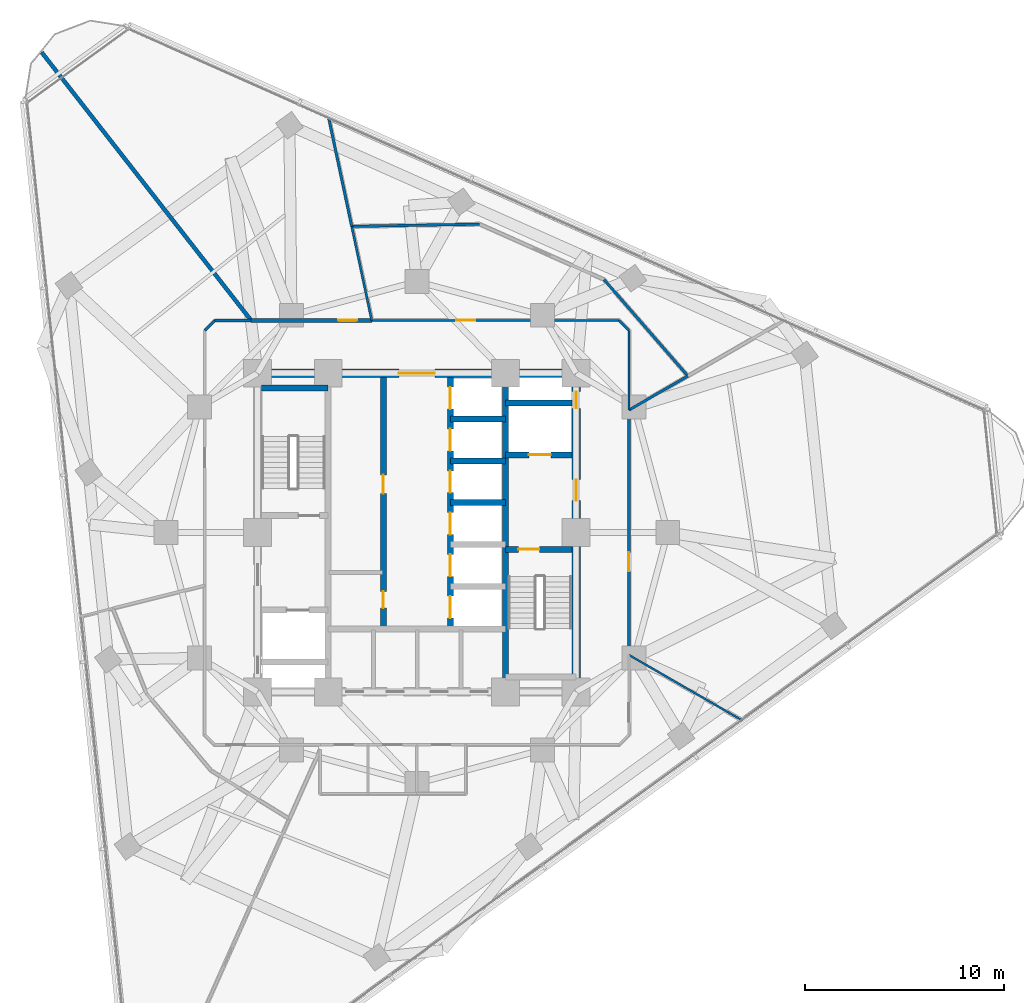
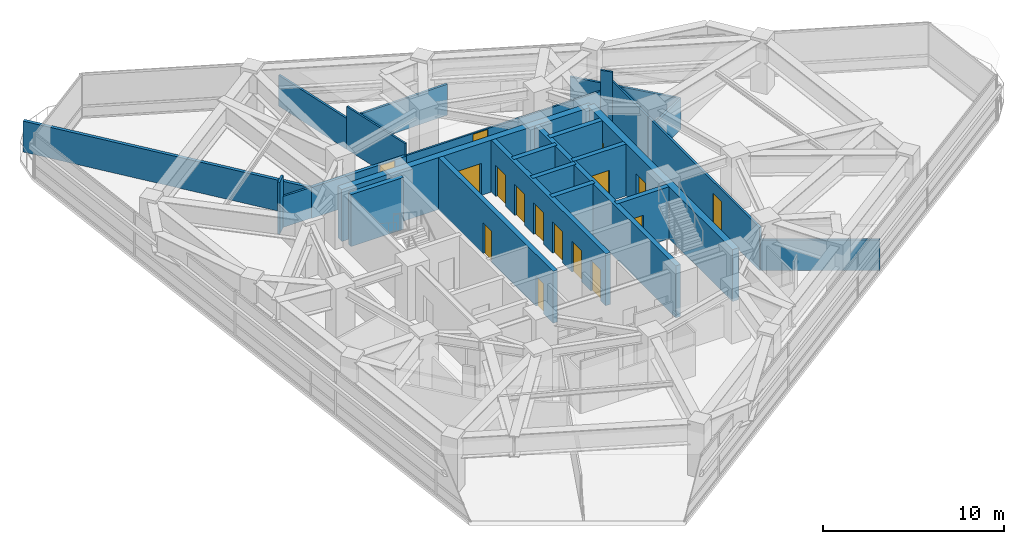
# One storey, part 9 of 14: 26 walls, 16 doors, 16 openings.
"""IFC4 building model written with IfcOpenShell, lengths in metres."""

from ifc_helpers import new_model, si_unit, direction, frame, frame_2d, origin, place, context, subcontext, project, spatial, rectangle, extrude, material, layer, layer_set, type_object, element, fill, save


model = new_model("IFC4")

# Units and contexts
model_context = context("Model", 3, precision=1e-05, world=origin(), true_north=direction((0.0, 1.0)))
body_context = subcontext(model_context, "Body", "Model", "MODEL_VIEW")
ifc_project = project(units=[si_unit("LENGTHUNIT", "METRE"), si_unit("AREAUNIT", "SQUARE_METRE"), si_unit("VOLUMEUNIT", "CUBIC_METRE"), si_unit("PLANEANGLEUNIT", "RADIAN"), si_unit("MASSUNIT", "GRAM", prefix="KILO")], contexts=[model_context])

# Site, building, storey
site_placement = place(None, origin())
site = spatial("IfcSite", under=ifc_project, at=site_placement, CompositionType="ELEMENT")
building_placement = place(site_placement, origin())
building = spatial("IfcBuilding", under=site, at=building_placement, Name="Terralouvre Media Tower", CompositionType="ELEMENT")
storey_placement = place(building_placement, frame((0.0, 0.0, 180.5)))
storey = spatial("IfcBuildingStorey", under=building, at=storey_placement, Name="L46", CompositionType="ELEMENT", Elevation=180.5)

# Walls
ifc_material_1 = material(Name="Concrete C50/60", Category="concrete")
ifc_layer_1 = layer(ifc_material_1, 0.300048828125, Name="Core Internal Shaft Wall CW-300")
ifc_layer_set_1 = layer_set([ifc_layer_1], Name="Concrete C50/60")
wall_type_1 = type_object("IfcWallType", Name="Core Internal Shaft Wall CW-300", PredefinedType="SHEAR", material=ifc_layer_set_1)
wall_1_placement = place(storey_placement, frame((4.449951171875, -7.7900390625, 0.0), z_axis=(0.0, 0.0, 1.0), x_axis=(0.0, 1.0, 0.0)))
element("IfcWall", 1, at=wall_1_placement, inside=storey, type_object=wall_type_1, Name="L46 Core Shaft Wall SPE", PredefinedType="SHEAR", context=body_context, shape_type="SweptSolid", body=[
    extrude(rectangle(XDim=15.580078125, YDim=0.300048828125, at=frame_2d((7.7900390625, 0.0))), origin(), (0.0, 0.0, 1.0), 3.5),
])
wall_2_placement = place(storey_placement, frame((-7.7900390625, 7.260009765625, 0.0), z_axis=(0.0, 0.0, 1.0), x_axis=(1.0, 0.0, 0.0)))
element("IfcWall", 2, at=wall_2_placement, inside=storey, type_object=wall_type_1, Name="L46 Core Shaft Wall ST1F", PredefinedType="SHEAR", context=body_context, shape_type="SweptSolid", body=[
    extrude(rectangle(XDim=3.340087890625, YDim=0.300048828125, at=frame_2d((1.669921875, 0.0))), origin(), (0.0, 0.0, 1.0), 3.5),
])

# Wall, opening, door
wall_3_placement = place(storey_placement, frame((4.449951171875, -0.85009765625, 0.0), z_axis=(0.0, 0.0, 1.0), x_axis=(1.0, 0.0, 0.0)))
wall_3 = element("IfcWall", 3, at=wall_3_placement, inside=storey, type_object=wall_type_1, Name="L46 Core Shaft Wall ST2D", PredefinedType="SHEAR", context=body_context, shape_type="SweptSolid", body=[
    extrude(rectangle(XDim=3.340087890625, YDim=0.300048828125, at=frame_2d((1.669921875, 0.0))), origin(), (0.0, 0.0, 1.0), 3.5),
])
opening_1_placement = place(wall_3_placement, frame((0.64990234375, 0.0, 0.0)))
opening_1 = element("IfcOpeningElement", 4, at=opening_1_placement, cuts=wall_3, Name="Opening FD-01-105X215", PredefinedType="OPENING", context=body_context, shape_type="SweptSolid", body=[
    extrude(rectangle(XDim=1.050048828125, YDim=2.14990234375, at=frame_2d((0.52490234375, 1.074951171875))), frame((0.0, 0.159912109375, 0.0), z_axis=(0.0, -1.0, 0.0), x_axis=(1.0, 0.0, 0.0)), (0.0, 0.0, 1.0), 0.320068359375),
])
ifc_material_2 = material(Name="Galvanised steel fire-resisting leaf", Category="steel")
door_type_1 = type_object("IfcDoorType", Name="Stair and Firefighting Lobby Fire Door FD-01 (1050x2150)", OperationType="NOTDEFINED", PredefinedType="DOOR", material=ifc_material_2)
door_1_placement = place(opening_1_placement, origin())
door_1 = element("IfcDoor", 5, at=door_1_placement, inside=storey, type_object=door_type_1, Name="L46 ST-02 Exit Stair Door", OperationType="SINGLE_SWING_RIGHT", OverallHeight=2.14990234375, OverallWidth=1.050048828125, PredefinedType="DOOR", context=body_context, shape_type="SweptSolid", body=[
    extrude(rectangle(XDim=1.050048828125, YDim=2.14990234375, at=frame_2d((0.52490234375, 1.074951171875))), frame((0.0, 0.02490234375, 0.0), z_axis=(0.0, -1.0, 0.0), x_axis=(1.0, 0.0, 0.0)), (0.0, 0.0, 1.0), 0.050048828125),
])
fill(opening_1, door_1)

wall_4_placement = place(storey_placement, frame((4.449951171875, 3.89990234375, 0.0), z_axis=(0.0, 0.0, 1.0), x_axis=(1.0, 0.0, 0.0)))
wall_4 = element("IfcWall", 6, at=wall_4_placement, inside=storey, type_object=wall_type_1, Name="L46 Core Shaft Wall FF2S", PredefinedType="SHEAR", context=body_context, shape_type="SweptSolid", body=[
    extrude(rectangle(XDim=3.340087890625, YDim=0.300048828125, at=frame_2d((1.669921875, 0.0))), origin(), (0.0, 0.0, 1.0), 3.5),
])
opening_2_placement = place(wall_4_placement, frame((1.179931640625, 0.0, 0.0)))
opening_2 = element("IfcOpeningElement", 7, at=opening_2_placement, cuts=wall_4, Name="Opening LD-FF", PredefinedType="OPENING", context=body_context, shape_type="SweptSolid", body=[
    extrude(rectangle(XDim=1.10009765625, YDim=2.10009765625, at=frame_2d((0.550048828125, 1.050048828125))), frame((0.0, 0.159912109375, 0.0), z_axis=(0.0, -1.0, 0.0), x_axis=(1.0, 0.0, 0.0)), (0.0, 0.0, 1.0), 0.320068359375),
])
ifc_material_3 = material(Name="Stainless steel 316 handrail and balustrade", Category="steel")
door_type_2 = type_object("IfcDoorType", Name="Firefighting Lift Sliding Landing Door LD-FF", OperationType="SLIDING_TO_LEFT", PredefinedType="DOOR", material=ifc_material_3)
door_2_placement = place(opening_2_placement, origin())
door_2 = element("IfcDoor", 8, at=door_2_placement, inside=storey, type_object=door_type_2, Name="L46 Firefighting Lift FFL-02 Landing Door", OperationType="SLIDING_TO_LEFT", OverallHeight=2.10009765625, OverallWidth=1.10009765625, PredefinedType="DOOR", context=body_context, shape_type="SweptSolid", body=[
    extrude(rectangle(XDim=1.10009765625, YDim=2.10009765625, at=frame_2d((0.550048828125, 1.050048828125))), frame((0.0, 0.02490234375, 0.0), z_axis=(0.0, -1.0, 0.0), x_axis=(1.0, 0.0, 0.0)), (0.0, 0.0, 1.0), 0.050048828125),
])
fill(opening_2, door_2)

# Wall
wall_5_placement = place(storey_placement, frame((4.449951171875, 6.5, 0.0), z_axis=(0.0, 0.0, 1.0), x_axis=(1.0, 0.0, 0.0)))
element("IfcWall", 9, at=wall_5_placement, inside=storey, type_object=wall_type_1, Name="L46 Core Shaft Wall FF2N", PredefinedType="SHEAR", context=body_context, shape_type="SweptSolid", body=[
    extrude(rectangle(XDim=3.340087890625, YDim=0.300048828125, at=frame_2d((1.669921875, 0.0))), origin(), (0.0, 0.0, 1.0), 3.5),
])

# Wall, openings, doors
wall_6_placement = place(storey_placement, frame((-1.679931640625, -4.85009765625, 0.0), z_axis=(0.0, 0.0, 1.0), x_axis=(0.0, 1.0, 0.0)))
wall_6 = element("IfcWall", 10, at=wall_6_placement, inside=storey, type_object=wall_type_1, Name="L46 Core Shaft Wall LBW", PredefinedType="SHEAR", context=body_context, shape_type="SweptSolid", body=[
    extrude(rectangle(XDim=12.64013671875, YDim=0.300048828125, at=frame_2d((6.320068359375, 0.0))), origin(), (0.0, 0.0, 1.0), 3.5),
])
opening_3_placement = place(wall_6_placement, frame((1.050048828125, 0.0, 0.0)))
opening_3 = element("IfcOpeningElement", 11, at=opening_3_placement, cuts=wall_6, Name="Opening TD-R1", PredefinedType="OPENING", context=body_context, shape_type="SweptSolid", body=[
    extrude(rectangle(XDim=0.85009765625, YDim=2.02001953125, at=frame_2d((0.425048828125, 1.010009765625))), frame((0.0, 0.159912109375, 0.0), z_axis=(0.0, -1.0, 0.0), x_axis=(1.0, 0.0, 0.0)), (0.0, 0.0, 1.0), 0.320068359375),
])
opening_4_placement = place(wall_6_placement, frame((6.800048828125, 0.0, 0.0)))
opening_4 = element("IfcOpeningElement", 12, at=opening_4_placement, cuts=wall_6, Name="Opening FD-02-95X210", PredefinedType="OPENING", context=body_context, shape_type="SweptSolid", body=[
    extrude(rectangle(XDim=0.949951171875, YDim=2.10009765625, at=frame_2d((0.47509765625, 1.050048828125))), frame((0.0, 0.159912109375, 0.0), z_axis=(0.0, -1.0, 0.0), x_axis=(1.0, 0.0, 0.0)), (0.0, 0.0, 1.0), 0.320068359375),
])
ifc_material_4 = material(Name="Galvanised steel fire-resisting leaf", Category="steel")
door_type_3 = type_object("IfcDoorType", Name="Plant and Riser Fire Door FD-02 (950x2100)", OperationType="NOTDEFINED", PredefinedType="DOOR", material=ifc_material_4)
door_3_placement = place(opening_4_placement, origin())
door_3 = element("IfcDoor", 13, at=door_3_placement, inside=storey, type_object=door_type_3, Name="L46 Core Patch Rack Plant Door", OperationType="SINGLE_SWING_RIGHT", OverallHeight=2.10009765625, OverallWidth=0.949951171875, PredefinedType="DOOR", context=body_context, shape_type="SweptSolid", body=[
    extrude(rectangle(XDim=0.949951171875, YDim=2.10009765625, at=frame_2d((0.47509765625, 1.050048828125))), frame((0.0, 0.02490234375, 0.0), z_axis=(0.0, -1.0, 0.0), x_axis=(1.0, 0.0, 0.0)), (0.0, 0.0, 1.0), 0.050048828125),
])
fill(opening_4, door_3)
ifc_material_5 = material(Name="Galvanised steel fire-resisting leaf", Category="steel")
door_type_4 = type_object("IfcDoorType", Name="Riser Inspection Access Trapdoor TD-R1", OperationType="NOTDEFINED", PredefinedType="TRAPDOOR", material=ifc_material_5)
door_4_placement = place(opening_3_placement, origin())
door_4 = element("IfcDoor", 14, at=door_4_placement, inside=storey, type_object=door_type_4, Name="L46 Core Cleaners Store Door", OperationType="SINGLE_SWING_LEFT", OverallHeight=2.02001953125, OverallWidth=0.85009765625, PredefinedType="TRAPDOOR", context=body_context, shape_type="SweptSolid", body=[
    extrude(rectangle(XDim=0.85009765625, YDim=2.02001953125, at=frame_2d((0.425048828125, 1.010009765625))), frame((0.0, 0.02490234375, 0.0), z_axis=(0.0, -1.0, 0.0), x_axis=(1.0, 0.0, 0.0)), (0.0, 0.0, 1.0), 0.050048828125),
])
fill(opening_3, door_4)

wall_7_placement = place(storey_placement, frame((1.679931640625, -4.85009765625, 0.0), z_axis=(0.0, 0.0, 1.0), x_axis=(0.0, 1.0, 0.0)))
wall_7 = element("IfcWall", 15, at=wall_7_placement, inside=storey, type_object=wall_type_1, Name="L46 Core Shaft Wall LBE", PredefinedType="SHEAR", context=body_context, shape_type="SweptSolid", body=[
    extrude(rectangle(XDim=12.64013671875, YDim=0.300048828125, at=frame_2d((6.320068359375, 0.0))), origin(), (0.0, 0.0, 1.0), 3.5),
])
opening_5_placement = place(wall_7_placement, frame((0.550048828125, 0.0, 0.0)))
opening_5 = element("IfcOpeningElement", 16, at=opening_5_placement, cuts=wall_7, Name="Opening LD-PL", PredefinedType="OPENING", context=body_context, shape_type="SweptSolid", body=[
    extrude(rectangle(XDim=1.10009765625, YDim=2.10009765625, at=frame_2d((0.550048828125, 1.050048828125))), frame((0.0, 0.159912109375, 0.0), z_axis=(0.0, -1.0, 0.0), x_axis=(1.0, 0.0, 0.0)), (0.0, 0.0, 1.0), 0.320068359375),
])
opening_6_placement = place(wall_7_placement, frame((2.64990234375, 0.0, 0.0)))
opening_6 = element("IfcOpeningElement", 17, at=opening_6_placement, cuts=wall_7, Name="Opening LD-PL", PredefinedType="OPENING", context=body_context, shape_type="SweptSolid", body=[
    extrude(rectangle(XDim=1.10009765625, YDim=2.10009765625, at=frame_2d((0.550048828125, 1.050048828125))), frame((0.0, 0.159912109375, 0.0), z_axis=(0.0, -1.0, 0.0), x_axis=(1.0, 0.0, 0.0)), (0.0, 0.0, 1.0), 0.320068359375),
])
opening_7_placement = place(wall_7_placement, frame((4.75, 0.0, 0.0)))
opening_7 = element("IfcOpeningElement", 18, at=opening_7_placement, cuts=wall_7, Name="Opening LD-PL", PredefinedType="OPENING", context=body_context, shape_type="SweptSolid", body=[
    extrude(rectangle(XDim=1.10009765625, YDim=2.10009765625, at=frame_2d((0.550048828125, 1.050048828125))), frame((0.0, 0.159912109375, 0.0), z_axis=(0.0, -1.0, 0.0), x_axis=(1.0, 0.0, 0.0)), (0.0, 0.0, 1.0), 0.320068359375),
])
opening_8_placement = place(wall_7_placement, frame((6.85009765625, 0.0, 0.0)))
opening_8 = element("IfcOpeningElement", 19, at=opening_8_placement, cuts=wall_7, Name="Opening LD-PL", PredefinedType="OPENING", context=body_context, shape_type="SweptSolid", body=[
    extrude(rectangle(XDim=1.10009765625, YDim=2.10009765625, at=frame_2d((0.550048828125, 1.050048828125))), frame((0.0, 0.159912109375, 0.0), z_axis=(0.0, -1.0, 0.0), x_axis=(1.0, 0.0, 0.0)), (0.0, 0.0, 1.0), 0.320068359375),
])
opening_9_placement = place(wall_7_placement, frame((8.949951171875, 0.0, 0.0)))
opening_9 = element("IfcOpeningElement", 20, at=opening_9_placement, cuts=wall_7, Name="Opening LD-PL", PredefinedType="OPENING", context=body_context, shape_type="SweptSolid", body=[
    extrude(rectangle(XDim=1.10009765625, YDim=2.10009765625, at=frame_2d((0.550048828125, 1.050048828125))), frame((0.0, 0.159912109375, 0.0), z_axis=(0.0, -1.0, 0.0), x_axis=(1.0, 0.0, 0.0)), (0.0, 0.0, 1.0), 0.320068359375),
])
opening_10_placement = place(wall_7_placement, frame((11.050048828125, 0.0, 0.0)))
opening_10 = element("IfcOpeningElement", 21, at=opening_10_placement, cuts=wall_7, Name="Opening LD-PL", PredefinedType="OPENING", context=body_context, shape_type="SweptSolid", body=[
    extrude(rectangle(XDim=1.10009765625, YDim=2.10009765625, at=frame_2d((0.550048828125, 1.050048828125))), frame((0.0, 0.159912109375, 0.0), z_axis=(0.0, -1.0, 0.0), x_axis=(1.0, 0.0, 0.0)), (0.0, 0.0, 1.0), 0.320068359375),
])
ifc_material_6 = material(Name="Stainless steel 316 handrail and balustrade", Category="steel")
door_type_5 = type_object("IfcDoorType", Name="Passenger Lift Sliding Landing Door LD-PL", OperationType="SLIDING_TO_LEFT", PredefinedType="DOOR", material=ifc_material_6)
door_5_placement = place(opening_5_placement, origin())
door_5 = element("IfcDoor", 22, at=door_5_placement, inside=storey, type_object=door_type_5, Name="L46 High-Rise Lift PL-H1 Landing Door", OperationType="SLIDING_TO_LEFT", OverallHeight=2.10009765625, OverallWidth=1.10009765625, PredefinedType="DOOR", context=body_context, shape_type="SweptSolid", body=[
    extrude(rectangle(XDim=1.10009765625, YDim=2.10009765625, at=frame_2d((0.550048828125, 1.050048828125))), frame((0.0, 0.02490234375, 0.0), z_axis=(0.0, -1.0, 0.0), x_axis=(1.0, 0.0, 0.0)), (0.0, 0.0, 1.0), 0.050048828125),
])
fill(opening_5, door_5)
door_6_placement = place(opening_6_placement, origin())
door_6 = element("IfcDoor", 23, at=door_6_placement, inside=storey, type_object=door_type_5, Name="L46 High-Rise Lift PL-H2 Landing Door", OperationType="SLIDING_TO_LEFT", OverallHeight=2.10009765625, OverallWidth=1.10009765625, PredefinedType="DOOR", context=body_context, shape_type="SweptSolid", body=[
    extrude(rectangle(XDim=1.10009765625, YDim=2.10009765625, at=frame_2d((0.550048828125, 1.050048828125))), frame((0.0, 0.02490234375, 0.0), z_axis=(0.0, -1.0, 0.0), x_axis=(1.0, 0.0, 0.0)), (0.0, 0.0, 1.0), 0.050048828125),
])
fill(opening_6, door_6)
door_7_placement = place(opening_7_placement, origin())
door_7 = element("IfcDoor", 24, at=door_7_placement, inside=storey, type_object=door_type_5, Name="L46 High-Rise Lift PL-H3 Landing Door", OperationType="SLIDING_TO_LEFT", OverallHeight=2.10009765625, OverallWidth=1.10009765625, PredefinedType="DOOR", context=body_context, shape_type="SweptSolid", body=[
    extrude(rectangle(XDim=1.10009765625, YDim=2.10009765625, at=frame_2d((0.550048828125, 1.050048828125))), frame((0.0, 0.02490234375, 0.0), z_axis=(0.0, -1.0, 0.0), x_axis=(1.0, 0.0, 0.0)), (0.0, 0.0, 1.0), 0.050048828125),
])
fill(opening_7, door_7)
door_8_placement = place(opening_8_placement, origin())
door_8 = element("IfcDoor", 25, at=door_8_placement, inside=storey, type_object=door_type_5, Name="L46 Mid-Rise Lift PL-M1 Landing Door", OperationType="SLIDING_TO_LEFT", OverallHeight=2.10009765625, OverallWidth=1.10009765625, PredefinedType="DOOR", context=body_context, shape_type="SweptSolid", body=[
    extrude(rectangle(XDim=1.10009765625, YDim=2.10009765625, at=frame_2d((0.550048828125, 1.050048828125))), frame((0.0, 0.02490234375, 0.0), z_axis=(0.0, -1.0, 0.0), x_axis=(1.0, 0.0, 0.0)), (0.0, 0.0, 1.0), 0.050048828125),
])
fill(opening_8, door_8)
door_9_placement = place(opening_9_placement, origin())
door_9 = element("IfcDoor", 26, at=door_9_placement, inside=storey, type_object=door_type_5, Name="L46 Mid-Rise Lift PL-M2 Landing Door", OperationType="SLIDING_TO_LEFT", OverallHeight=2.10009765625, OverallWidth=1.10009765625, PredefinedType="DOOR", context=body_context, shape_type="SweptSolid", body=[
    extrude(rectangle(XDim=1.10009765625, YDim=2.10009765625, at=frame_2d((0.550048828125, 1.050048828125))), frame((0.0, 0.02490234375, 0.0), z_axis=(0.0, -1.0, 0.0), x_axis=(1.0, 0.0, 0.0)), (0.0, 0.0, 1.0), 0.050048828125),
])
fill(opening_9, door_9)
door_10_placement = place(opening_10_placement, origin())
door_10 = element("IfcDoor", 27, at=door_10_placement, inside=storey, type_object=door_type_5, Name="L46 Mid-Rise Lift PL-M3 Landing Door", OperationType="SLIDING_TO_LEFT", OverallHeight=2.10009765625, OverallWidth=1.10009765625, PredefinedType="DOOR", context=body_context, shape_type="SweptSolid", body=[
    extrude(rectangle(XDim=1.10009765625, YDim=2.10009765625, at=frame_2d((0.550048828125, 1.050048828125))), frame((0.0, 0.02490234375, 0.0), z_axis=(0.0, -1.0, 0.0), x_axis=(1.0, 0.0, 0.0)), (0.0, 0.0, 1.0), 0.050048828125),
])
fill(opening_10, door_10)

# Walls
for number, where, z_axis, x_axis, name in (
    (28, (1.679931640625, 1.5, 0.0), (0.0, 0.0, 1.0), (1.0, 0.0, 0.0), "L46 Core Shaft Wall PLMD0"),
    (29, (1.679931640625, 3.60009765625, 0.0), (0.0, 0.0, 1.0), (1.0, 0.0, 0.0), "L46 Core Shaft Wall PLMD1"),
    (30, (1.679931640625, 5.699951171875, 0.0), (0.0, 0.0, 1.0), (1.0, 0.0, 0.0), "L46 Core Shaft Wall PLMD2"),
):
    element("IfcWall", number, at=place(storey_placement, frame(where, z_axis=z_axis, x_axis=x_axis)), inside=storey, type_object=wall_type_1, Name=name, PredefinedType="SHEAR", context=body_context, shape_type="SweptSolid", body=[
        extrude(rectangle(XDim=2.77001953125, YDim=0.300048828125, at=frame_2d((1.385009765625, 0.0))), origin(), (0.0, 0.0, 1.0), 3.5),
    ])

# Wall, openings, doors
ifc_material_7 = material(Name="Concrete C60/75", Category="concrete")
ifc_layer_2 = layer(ifc_material_7, 0.419921875, Name="Core Reinforced Concrete Shear Wall CW-420")
ifc_layer_set_2 = layer_set([ifc_layer_2], Name="Concrete C60/75")
wall_type_2 = type_object("IfcWallType", Name="Core Reinforced Concrete Shear Wall CW-420", PredefinedType="SHEAR", material=ifc_layer_set_2)
wall_8_placement = place(storey_placement, frame((8.0, -8.0, 0.0), z_axis=(0.0, 0.0, 1.0), x_axis=(0.0, 1.0, 0.0)))
wall_8 = element("IfcWall", 31, at=wall_8_placement, inside=storey, type_object=wall_type_2, Name="L46 E Core Shear Wall", PredefinedType="SHEAR", context=body_context, shape_type="SweptSolid", body=[
    extrude(rectangle(XDim=16.0, YDim=0.419921875, at=frame_2d((8.0, 0.0))), origin(), (0.0, 0.0, 1.0), 3.5),
])
opening_11_placement = place(wall_8_placement, frame((9.60009765625, 0.0, 0.0)))
opening_11 = element("IfcOpeningElement", 32, at=opening_11_placement, cuts=wall_8, Name="Opening FD-01-105X215", PredefinedType="OPENING", context=body_context, shape_type="SweptSolid", body=[
    extrude(rectangle(XDim=1.050048828125, YDim=2.14990234375, at=frame_2d((0.52490234375, 1.074951171875))), frame((0.0, 0.219970703125, 0.0), z_axis=(0.0, -1.0, 0.0), x_axis=(1.0, 0.0, 0.0)), (0.0, 0.0, 1.0), 0.43994140625),
])
opening_12_placement = place(wall_8_placement, frame((14.228515625, 0.0, 0.0)))
opening_12 = element("IfcOpeningElement", 33, at=opening_12_placement, cuts=wall_8, Name="Opening TD-R1", PredefinedType="OPENING", context=body_context, shape_type="SweptSolid", body=[
    extrude(rectangle(XDim=0.85009765625, YDim=2.02001953125, at=frame_2d((0.425048828125, 1.010009765625))), frame((0.0, 0.219970703125, 0.0), z_axis=(0.0, -1.0, 0.0), x_axis=(1.0, 0.0, 0.0)), (0.0, 0.0, 1.0), 0.43994140625),
])
door_11_placement = place(opening_12_placement, origin())
door_11 = element("IfcDoor", 34, at=door_11_placement, inside=storey, type_object=door_type_4, Name="L46 East Comms Riser Access Trapdoor", OperationType="SINGLE_SWING_RIGHT", OverallHeight=2.02001953125, OverallWidth=0.85009765625, PredefinedType="TRAPDOOR", context=body_context, shape_type="SweptSolid", body=[
    extrude(rectangle(XDim=0.85009765625, YDim=2.02001953125, at=frame_2d((0.425048828125, 1.010009765625))), frame((0.0, 0.02490234375, 0.0), z_axis=(0.0, -1.0, 0.0), x_axis=(1.0, 0.0, 0.0)), (0.0, 0.0, 1.0), 0.050048828125),
])
fill(opening_12, door_11)
door_12_placement = place(opening_11_placement, origin())
door_12 = element("IfcDoor", 35, at=door_12_placement, inside=storey, type_object=door_type_1, Name="L46 East Firefighting Lobby Entry Door", OperationType="SINGLE_SWING_LEFT", OverallHeight=2.14990234375, OverallWidth=1.050048828125, PredefinedType="DOOR", context=body_context, shape_type="SweptSolid", body=[
    extrude(rectangle(XDim=1.050048828125, YDim=2.14990234375, at=frame_2d((0.52490234375, 1.074951171875))), frame((0.0, 0.02490234375, 0.0), z_axis=(0.0, -1.0, 0.0), x_axis=(1.0, 0.0, 0.0)), (0.0, 0.0, 1.0), 0.050048828125),
])
fill(opening_11, door_12)

# Wall, opening, door
wall_9_placement = place(storey_placement, frame((-8.0, 8.0, 0.0), z_axis=(0.0, 0.0, 1.0), x_axis=(1.0, 0.0, 0.0)))
wall_9 = element("IfcWall", 36, at=wall_9_placement, inside=storey, type_object=wall_type_2, Name="L46 N Core Shear Wall", PredefinedType="SHEAR", context=body_context, shape_type="SweptSolid", body=[
    extrude(rectangle(XDim=16.0, YDim=0.419921875, at=frame_2d((8.0, 0.0))), origin(), (0.0, 0.0, 1.0), 3.5),
])
opening_13_placement = place(wall_9_placement, frame((7.10009765625, 0.0, 0.0)))
opening_13 = element("IfcOpeningElement", 37, at=opening_13_placement, cuts=wall_9, Name="Opening FD-03", PredefinedType="OPENING", context=body_context, shape_type="SweptSolid", body=[
    extrude(rectangle(XDim=1.800048828125, YDim=2.14990234375, at=frame_2d((0.89990234375, 1.074951171875))), frame((0.0, 0.219970703125, 0.0), z_axis=(0.0, -1.0, 0.0), x_axis=(1.0, 0.0, 0.0)), (0.0, 0.0, 1.0), 0.43994140625),
])
ifc_material_8 = material(Name="Galvanised steel fire-resisting leaf", Category="steel")
door_type_6 = type_object("IfcDoorType", Name="Corridor Smoke-Control Double Door FD-03", OperationType="DOUBLE_DOOR_SINGLE_SWING", PredefinedType="DOOR", material=ifc_material_8)
door_13_placement = place(opening_13_placement, origin())
door_13 = element("IfcDoor", 38, at=door_13_placement, inside=storey, type_object=door_type_6, Name="L46 Central Lift Lobby Portal Door", OperationType="DOUBLE_DOOR_SINGLE_SWING", OverallHeight=2.14990234375, OverallWidth=1.800048828125, PredefinedType="DOOR", context=body_context, shape_type="SweptSolid", body=[
    extrude(rectangle(XDim=1.800048828125, YDim=2.14990234375, at=frame_2d((0.89990234375, 1.074951171875))), frame((0.0, 0.02490234375, 0.0), z_axis=(0.0, -1.0, 0.0), x_axis=(1.0, 0.0, 0.0)), (0.0, 0.0, 1.0), 0.050048828125),
])
fill(opening_13, door_13)

# Wall
ifc_material_9 = material(Name="Low-iron laminated double glazing with solar-control coating", Category="glass")
ifc_layer_3 = layer(ifc_material_9, 0.10009765625, Name="Demountable Glazed Office Partition PT-GL100")
ifc_layer_set_3 = layer_set([ifc_layer_3], Name="Low-iron laminated double glazing with solar-control coating")
wall_type_3 = type_object("IfcWallType", Name="Demountable Glazed Office Partition PT-GL100", PredefinedType="MOVABLE", material=ifc_layer_set_3)
wall_10_placement = place(storey_placement, frame((16.34814453125, -9.43896484375, 0.0), z_axis=(0.0, 0.0, 1.0), x_axis=(-0.866015045157, 0.50001794124, 0.0)))
element("IfcWall", 39, at=wall_10_placement, inside=storey, type_object=wall_type_3, Name="L46 Interior Partition 032", PredefinedType="MOVABLE", context=body_context, shape_type="SweptSolid", body=[
    extrude(rectangle(XDim=6.579833984375, YDim=0.10009765625, at=frame_2d((3.2900390625, 0.0))), origin(), (0.0, 0.0, 1.0), 2.0849609375),
])

# Wall, opening, door
ifc_material_10 = material(Name="Fire-rated gypsum board drywall partition")
ifc_layer_4 = layer(ifc_material_10, 0.199951171875, Name="Fire-Rated Shaft and Lobby Partition FW-200")
ifc_layer_set_4 = layer_set([ifc_layer_4], Name="Fire-rated gypsum board drywall partition")
wall_type_4 = type_object("IfcWallType", Name="Fire-Rated Shaft and Lobby Partition FW-200", PredefinedType="SOLIDWALL", material=ifc_layer_set_4)
wall_11_placement = place(storey_placement, frame((-2.263916015625, 10.64990234375, 0.0), z_axis=(0.0, 0.0, 1.0), x_axis=(-1.0, 0.0, 0.0)))
wall_11 = element("IfcWall", 40, at=wall_11_placement, inside=storey, type_object=wall_type_4, Name="L46 Interior Partition 014", PredefinedType="SOLIDWALL", context=body_context, shape_type="SweptSolid", body=[
    extrude(rectangle(XDim=6.05712890625, YDim=0.199951171875, at=frame_2d((3.028564453125, 0.0))), origin(), (0.0, 0.0, 1.0), 2.0849609375),
])
opening_14_placement = place(wall_11_placement, frame((0.736328125, 0.0, 0.0)))
opening_14 = element("IfcOpeningElement", 41, at=opening_14_placement, cuts=wall_11, Name="Opening FD-02-95X206", PredefinedType="OPENING", context=body_context, shape_type="SweptSolid", body=[
    extrude(rectangle(XDim=0.949951171875, YDim=2.034912109375, at=frame_2d((0.47509765625, 1.017578125))), frame((0.0, 0.10986328125, 0.0), z_axis=(0.0, -1.0, 0.0), x_axis=(1.0, 0.0, 0.0)), (0.0, 0.0, 1.0), 0.219970703125),
])
ifc_material_11 = material(Name="Galvanised steel fire-resisting leaf", Category="steel")
door_type_7 = type_object("IfcDoorType", Name="Plant and Riser Fire Door FD-02 (950x2065)", OperationType="NOTDEFINED", PredefinedType="DOOR", material=ifc_material_11)
door_14_placement = place(opening_14_placement, origin())
door_14 = element("IfcDoor", 42, at=door_14_placement, inside=storey, type_object=door_type_7, Name="L46 Render Cluster Server Room 7 Door", OperationType="SINGLE_SWING_LEFT", OverallHeight=2.034912109375, OverallWidth=0.949951171875, PredefinedType="DOOR", context=body_context, shape_type="SweptSolid", body=[
    extrude(rectangle(XDim=0.949951171875, YDim=2.034912109375, at=frame_2d((0.47509765625, 1.017578125))), frame((0.0, 0.02490234375, 0.0), z_axis=(0.0, -1.0, 0.0), x_axis=(1.0, 0.0, 0.0)), (0.0, 0.0, 1.0), 0.050048828125),
])
fill(opening_14, door_14)

# Wall
wall_12_placement = place(storey_placement, frame((-18.839599609375, 24.11376953125, 0.0), z_axis=(0.0, 0.0, 1.0), x_axis=(0.615640714438, -0.78802697335, 0.0)))
element("IfcWall", 43, at=wall_12_placement, inside=storey, type_object=wall_type_4, Name="L46 Interior Partition 040", PredefinedType="SOLIDWALL", context=body_context, shape_type="SweptSolid", body=[
    extrude(rectangle(XDim=17.08544921875, YDim=0.199951171875, at=frame_2d((8.542724609375, 0.0))), origin(), (0.0, 0.0, 1.0), 2.0849609375),
])

# Wall, opening, door
ifc_material_12 = material(Name="Fire-rated gypsum board drywall partition")
ifc_layer_5 = layer(ifc_material_12, 0.135009765625, Name="Newsroom Acoustic Partition PT-135")
ifc_layer_set_5 = layer_set([ifc_layer_5], Name="Fire-rated gypsum board drywall partition")
wall_type_5 = type_object("IfcWallType", Name="Newsroom Acoustic Partition PT-135", PredefinedType="PARTITIONING", material=ifc_layer_set_5)
wall_13_placement = place(storey_placement, frame((10.64990234375, -6.14892578125, 0.0), z_axis=(0.0, 0.0, 1.0), x_axis=(0.0, 1.0, 0.0)))
wall_13 = element("IfcWall", 44, at=wall_13_placement, inside=storey, type_object=wall_type_5, Name="L46 Interior Partition 010", PredefinedType="PARTITIONING", context=body_context, shape_type="SweptSolid", body=[
    extrude(rectangle(XDim=12.2978515625, YDim=0.135009765625, at=frame_2d((6.14892578125, 0.0))), origin(), (0.0, 0.0, 1.0), 2.885009765625),
])
opening_15_placement = place(wall_13_placement, frame((4.1982421875, 0.0, 0.0)))
opening_15 = element("IfcOpeningElement", 45, at=opening_15_placement, cuts=wall_13, Name="Opening ID-02-95X210", PredefinedType="OPENING", context=body_context, shape_type="SweptSolid", body=[
    extrude(rectangle(XDim=0.949951171875, YDim=2.10009765625, at=frame_2d((0.47509765625, 1.050048828125))), frame((0.0, 0.077392578125, 0.0), z_axis=(0.0, -1.0, 0.0), x_axis=(1.0, 0.0, 0.0)), (0.0, 0.0, 1.0), 0.155029296875),
])
ifc_material_13 = material(Name="Engineered hardwood acoustic timber leaf", Category="wood")
door_type_8 = type_object("IfcDoorType", Name="Office and Meeting Room Door ID-02 (950x2100)", OperationType="NOTDEFINED", PredefinedType="DOOR", material=ifc_material_13)
door_15_placement = place(opening_15_placement, origin())
door_15 = element("IfcDoor", 46, at=door_15_placement, inside=storey, type_object=door_type_8, Name="L46 Podcast Editing Creative Workshop 4 Door", OperationType="SINGLE_SWING_LEFT", OverallHeight=2.10009765625, OverallWidth=0.949951171875, PredefinedType="DOOR", context=body_context, shape_type="SweptSolid", body=[
    extrude(rectangle(XDim=0.949951171875, YDim=2.10009765625, at=frame_2d((0.47509765625, 1.050048828125))), frame((0.0, 0.02490234375, 0.0), z_axis=(0.0, -1.0, 0.0), x_axis=(1.0, 0.0, 0.0)), (0.0, 0.0, 1.0), 0.050048828125),
])
fill(opening_15, door_15)

# Walls
wall_14_placement = place(storey_placement, frame((-8.321044921875, 10.64990234375, 0.0), z_axis=(0.0, 0.0, 1.0), x_axis=(-1.0, 0.0, 0.0)))
element("IfcWall", 47, at=wall_14_placement, inside=storey, type_object=wall_type_5, Name="L46 Interior Partition 015", PredefinedType="PARTITIONING", context=body_context, shape_type="SweptSolid", body=[
    extrude(rectangle(XDim=1.828857421875, YDim=0.135009765625, at=frame_2d((0.91455078125, 0.0))), origin(), (0.0, 0.0, 1.0), 2.0849609375),
])
wall_15_placement = place(storey_placement, frame((-10.14990234375, 10.64990234375, 0.0), z_axis=(0.0, 0.0, 1.0), x_axis=(-0.707106781187, -0.707106781187, 0.0)))
element("IfcWall", 48, at=wall_15_placement, inside=storey, type_object=wall_type_5, Name="L46 Interior Partition 016", PredefinedType="PARTITIONING", context=body_context, shape_type="SweptSolid", body=[
    extrude(rectangle(XDim=0.70703125, YDim=0.135009765625, at=frame_2d((0.353515625, 0.0))), origin(), (0.0, 0.0, 1.0), 3.5),
])
wall_16_placement = place(storey_placement, frame((13.60888671875, 7.85693359375, 0.0), z_axis=(0.0, 0.0, 1.0), x_axis=(-0.866071357471, -0.499920397431, 0.0)))
element("IfcWall", 49, at=wall_16_placement, inside=storey, type_object=wall_type_5, Name="L46 Interior Partition 034", PredefinedType="PARTITIONING", context=body_context, shape_type="SweptSolid", body=[
    extrude(rectangle(XDim=3.41650390625, YDim=0.135009765625, at=frame_2d((1.708251953125, 0.0))), origin(), (0.0, 0.0, 1.0), 2.0849609375),
])
wall_17_placement = place(storey_placement, frame((-3.26708984375, 15.37109375, 0.0), z_axis=(0.0, 0.0, 1.0), x_axis=(0.999848218389, 0.017422404658, 0.0)))
element("IfcWall", 50, at=wall_17_placement, inside=storey, type_object=wall_type_5, Name="L46 Interior Partition 035", PredefinedType="PARTITIONING", context=body_context, shape_type="SweptSolid", body=[
    extrude(rectangle(XDim=6.41796875, YDim=0.135009765625, at=frame_2d((3.208984375, 0.0))), origin(), (0.0, 0.0, 1.0), 2.0849609375),
])
wall_18_placement = place(storey_placement, frame((9.39794921875, 12.700927734375, 0.0), z_axis=(0.0, 0.0, 1.0), x_axis=(0.656069468174, -0.754700505452, 0.0)))
element("IfcWall", 51, at=wall_18_placement, inside=storey, type_object=wall_type_5, Name="L46 Interior Partition 037", PredefinedType="PARTITIONING", context=body_context, shape_type="SweptSolid", body=[
    extrude(rectangle(XDim=6.41845703125, YDim=0.135009765625, at=frame_2d((3.209228515625, 0.0))), origin(), (0.0, 0.0, 1.0), 2.0849609375),
])
wall_19_placement = place(storey_placement, frame((-4.432373046875, 20.850830078125, 0.0), z_axis=(0.0, 0.0, 1.0), x_axis=(0.208002083798, -0.978128382747, 0.0)))
element("IfcWall", 52, at=wall_19_placement, inside=storey, type_object=wall_type_5, Name="L46 Interior Partition 038", PredefinedType="PARTITIONING", context=body_context, shape_type="SweptSolid", body=[
    extrude(rectangle(XDim=5.602294921875, YDim=0.135009765625, at=frame_2d((2.80126953125, 0.0))), origin(), (0.0, 0.0, 1.0), 2.0849609375),
])
ifc_material_14 = material(Name="Fire-rated gypsum board drywall partition")
ifc_layer_6 = layer(ifc_material_14, 0.114990234375, Name="Restroom and Pantry Partition PT-115")
ifc_layer_set_6 = layer_set([ifc_layer_6], Name="Fire-rated gypsum board drywall partition")
wall_type_6 = type_object("IfcWallType", Name="Restroom and Pantry Partition PT-115", PredefinedType="PARTITIONING", material=ifc_layer_set_6)
wall_20_placement = place(storey_placement, frame((10.64990234375, 6.14892578125, 0.0), z_axis=(0.0, 0.0, 1.0), x_axis=(0.0, 1.0, 0.0)))
element("IfcWall", 53, at=wall_20_placement, inside=storey, type_object=wall_type_6, Name="L46 Interior Partition 011", PredefinedType="PARTITIONING", context=body_context, shape_type="SweptSolid", body=[
    extrude(rectangle(XDim=4.0009765625, YDim=0.114990234375, at=frame_2d((2.00048828125, 0.0))), origin(), (0.0, 0.0, 1.0), 2.885009765625),
])
wall_21_placement = place(storey_placement, frame((10.64990234375, 10.14990234375, 0.0), z_axis=(0.0, 0.0, 1.0), x_axis=(-0.707106781187, 0.707106781187, 0.0)))
element("IfcWall", 54, at=wall_21_placement, inside=storey, type_object=wall_type_6, Name="L46 Interior Partition 012", PredefinedType="PARTITIONING", context=body_context, shape_type="SweptSolid", body=[
    extrude(rectangle(XDim=0.70703125, YDim=0.114990234375, at=frame_2d((0.353515625, 0.0))), origin(), (0.0, 0.0, 1.0), 3.5),
])

# Wall, opening, door
wall_22_placement = place(storey_placement, frame((10.14990234375, 10.64990234375, 0.0), z_axis=(0.0, 0.0, 1.0), x_axis=(-1.0, 0.0, 0.0)))
wall_22 = element("IfcWall", 55, at=wall_22_placement, inside=storey, type_object=wall_type_6, Name="L46 Interior Partition 013", PredefinedType="PARTITIONING", context=body_context, shape_type="SweptSolid", body=[
    extrude(rectangle(XDim=12.413818359375, YDim=0.114990234375, at=frame_2d((6.20703125, 0.0))), origin(), (0.0, 0.0, 1.0), 2.0849609375),
])
opening_16_placement = place(wall_22_placement, frame((7.2216796875, 0.0, 0.0)))
opening_16 = element("IfcOpeningElement", 56, at=opening_16_placement, cuts=wall_22, Name="Opening SD-01-95X206", PredefinedType="OPENING", context=body_context, shape_type="SweptSolid", body=[
    extrude(rectangle(XDim=0.949951171875, YDim=2.034912109375, at=frame_2d((0.47509765625, 1.017578125))), frame((0.0, 0.0673828125, 0.0), z_axis=(0.0, -1.0, 0.0), x_axis=(1.0, 0.0, 0.0)), (0.0, 0.0, 1.0), 0.135009765625),
])
ifc_material_15 = material(Name="Anodised extruded aluminium 6063-T6", Category="aluminium")
door_type_9 = type_object("IfcDoorType", Name="Pantry Pocket Sliding Door SD-01 (950x2065)", OperationType="SLIDING_TO_LEFT", PredefinedType="DOOR", material=ifc_material_15)
door_16_placement = place(opening_16_placement, origin())
door_16 = element("IfcDoor", 57, at=door_16_placement, inside=storey, type_object=door_type_9, Name="L46 Barista Coffee Tea Pantry 6 Door", OperationType="SLIDING_TO_LEFT", OverallHeight=2.034912109375, OverallWidth=0.949951171875, PredefinedType="DOOR", context=body_context, shape_type="SweptSolid", body=[
    extrude(rectangle(XDim=0.949951171875, YDim=2.034912109375, at=frame_2d((0.47509765625, 1.017578125))), frame((0.0, 0.02490234375, 0.0), z_axis=(0.0, -1.0, 0.0), x_axis=(1.0, 0.0, 0.0)), (0.0, 0.0, 1.0), 0.050048828125),
])
fill(opening_16, door_16)

# Wall
wall_23_placement = place(storey_placement, frame((-3.26708984375, 15.37109375, 0.0), z_axis=(0.0, 0.0, 1.0), x_axis=(0.207843026781, -0.978162193207, 0.0)))
element("IfcWall", 58, at=wall_23_placement, inside=storey, type_object=wall_type_6, Name="L46 Interior Partition 039", PredefinedType="PARTITIONING", context=body_context, shape_type="SweptSolid", body=[
    extrude(rectangle(XDim=4.82666015625, YDim=0.114990234375, at=frame_2d((2.413330078125, 0.0))), origin(), (0.0, 0.0, 1.0), 2.885009765625),
])

save(model, "model.ifc")
